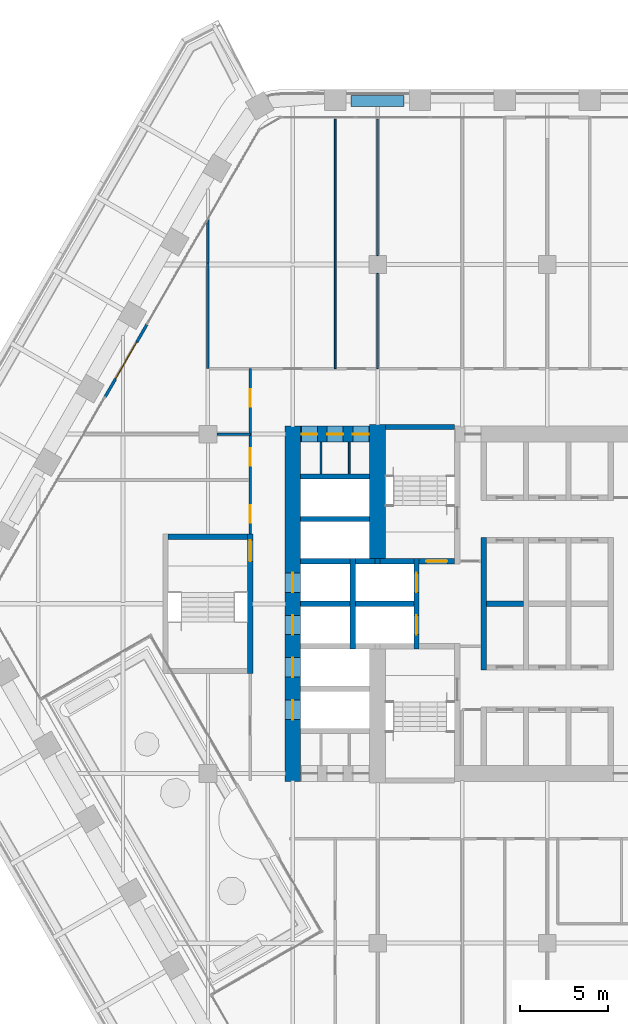
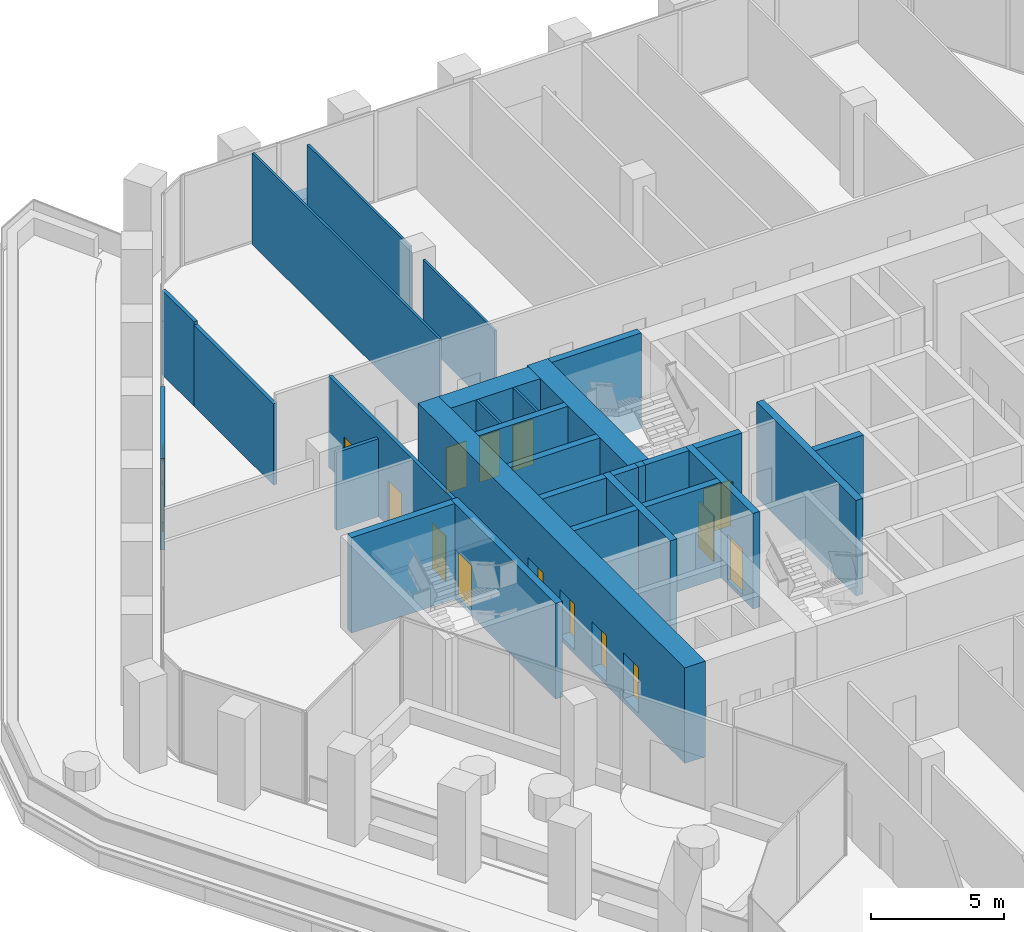
# One storey, part 17 of 27: 30 walls, 15 doors, 15 openings.
"""IFC4 building model written with IfcOpenShell, lengths in metres."""

from ifc_helpers import new_model, si_unit, direction, frame, frame_2d, origin, place, context, subcontext, project, spatial, rectangle, extrude, material, layer, layer_set, type_object, element, fill, save


model = new_model("IFC4")

# Units and contexts
model_context = context("Model", 3, precision=1e-05, world=origin(), true_north=direction((0.0, 1.0)))
body_context = subcontext(model_context, "Body", "Model", "MODEL_VIEW")
ifc_project = project(units=[si_unit("LENGTHUNIT", "METRE"), si_unit("AREAUNIT", "SQUARE_METRE"), si_unit("VOLUMEUNIT", "CUBIC_METRE"), si_unit("PLANEANGLEUNIT", "RADIAN"), si_unit("MASSUNIT", "GRAM", prefix="KILO")], contexts=[model_context])

# Site, building, storey
site_placement = place(None, origin())
site = spatial("IfcSite", under=ifc_project, at=site_placement, CompositionType="ELEMENT")
building_placement = place(site_placement, origin())
building = spatial("IfcBuilding", under=site, at=building_placement, Name="Kolab Exchange Tower", CompositionType="ELEMENT")
storey_placement = place(building_placement, frame((0.0, 0.0, 122.89990234375)))
storey = spatial("IfcBuildingStorey", under=building, at=storey_placement, Name="L24", CompositionType="ELEMENT", Elevation=122.89990234375)

# Wall, openings, doors
ifc_material_1 = material(Name="Concrete C70/85", Category="concrete")
ifc_layer_1 = layer(ifc_material_1, 0.89990234375)
ifc_layer_set_1 = layer_set([ifc_layer_1], Name="Concrete C70/85")
wall_type_1 = type_object("IfcWallType", Name="CORE WALL 900 C70/85", PredefinedType="SHEAR", material=ifc_layer_set_1)
wall_1_placement = place(storey_placement, frame((-13.949951171875, 9.60009765625, -0.199951171875), z_axis=(0.0, 0.0, 1.0), x_axis=(1.0, 0.0, 0.0)))
wall_1 = element("IfcWall", 1, at=wall_1_placement, inside=storey, type_object=wall_type_1, Name="wall/L24/core/051", PredefinedType="SHEAR", context=body_context, shape_type="SweptSolid", body=[
    extrude(rectangle(XDim=3.89990234375, YDim=0.89990234375, at=frame_2d((1.949951171875, 0.0))), origin(), (0.0, 0.0, 1.0), 4.400146484375),
])
opening_1_placement = place(wall_1_placement, frame((0.050048828125, 0.0, 0.199951171875)))
opening_1 = element("IfcOpeningElement", 2, at=opening_1_placement, cuts=wall_1, Name="Opening D6-251", PredefinedType="OPENING", context=body_context, shape_type="SweptSolid", body=[
    extrude(rectangle(XDim=0.89990234375, YDim=2.10009765625, at=frame_2d((0.449951171875, 1.050048828125))), frame((0.0, 0.4599609375, 0.0), z_axis=(0.0, -1.0, 0.0), x_axis=(1.0, 0.0, 0.0)), (0.0, 0.0, 1.0), 0.919921875),
])
opening_2_placement = place(wall_1_placement, frame((1.5, 0.0, 0.199951171875)))
opening_2 = element("IfcOpeningElement", 3, at=opening_2_placement, cuts=wall_1, Name="Opening D6-252", PredefinedType="OPENING", context=body_context, shape_type="SweptSolid", body=[
    extrude(rectangle(XDim=0.89990234375, YDim=2.10009765625, at=frame_2d((0.449951171875, 1.050048828125))), frame((0.0, 0.4599609375, 0.0), z_axis=(0.0, -1.0, 0.0), x_axis=(1.0, 0.0, 0.0)), (0.0, 0.0, 1.0), 0.919921875),
])
opening_3_placement = place(wall_1_placement, frame((2.949951171875, 0.0, 0.199951171875)))
opening_3 = element("IfcOpeningElement", 4, at=opening_3_placement, cuts=wall_1, Name="Opening D6-253", PredefinedType="OPENING", context=body_context, shape_type="SweptSolid", body=[
    extrude(rectangle(XDim=0.89990234375, YDim=2.10009765625, at=frame_2d((0.449951171875, 1.050048828125))), frame((0.0, 0.4599609375, 0.0), z_axis=(0.0, -1.0, 0.0), x_axis=(1.0, 0.0, 0.0)), (0.0, 0.0, 1.0), 0.919921875),
])
ifc_material_2 = material(Name="Steel S235", Category="steel")
door_type_1 = type_object("IfcDoorType", Name="CORE DOOR 900 EI 120", OperationType="SINGLE_SWING_LEFT", PredefinedType="DOOR", material=ifc_material_2)
door_1_placement = place(opening_1_placement, frame((0.89990234375, 0.0, 0.0), z_axis=(0.0, 0.0, 1.0), x_axis=(-1.0, 0.0, 0.0)))
door_1 = element("IfcDoor", 5, at=door_1_placement, inside=storey, type_object=door_type_1, Name="Service room door", OperationType="SINGLE_SWING_RIGHT", OverallHeight=2.10009765625, OverallWidth=0.89990234375, PredefinedType="DOOR", context=body_context, shape_type="SweptSolid", body=[
    extrude(rectangle(XDim=0.89990234375, YDim=2.10009765625, at=frame_2d((0.449951171875, 1.050048828125))), frame((0.0, 0.02490234375, 0.0), z_axis=(0.0, -1.0, 0.0), x_axis=(1.0, 0.0, 0.0)), (0.0, 0.0, 1.0), 0.050048828125),
])
fill(opening_1, door_1)
door_2_placement = place(opening_2_placement, frame((0.89990234375, 0.0, 0.0), z_axis=(0.0, 0.0, 1.0), x_axis=(-1.0, 0.0, 0.0)))
door_2 = element("IfcDoor", 6, at=door_2_placement, inside=storey, type_object=door_type_1, Name="Service room door", OperationType="SINGLE_SWING_LEFT", OverallHeight=2.10009765625, OverallWidth=0.89990234375, PredefinedType="DOOR", context=body_context, shape_type="SweptSolid", body=[
    extrude(rectangle(XDim=0.89990234375, YDim=2.10009765625, at=frame_2d((0.449951171875, 1.050048828125))), frame((0.0, 0.02490234375, 0.0), z_axis=(0.0, -1.0, 0.0), x_axis=(1.0, 0.0, 0.0)), (0.0, 0.0, 1.0), 0.050048828125),
])
fill(opening_2, door_2)
door_3_placement = place(opening_3_placement, frame((0.89990234375, 0.0, 0.0), z_axis=(0.0, 0.0, 1.0), x_axis=(-1.0, 0.0, 0.0)))
door_3 = element("IfcDoor", 7, at=door_3_placement, inside=storey, type_object=door_type_1, Name="Service room door", OperationType="SINGLE_SWING_LEFT", OverallHeight=2.10009765625, OverallWidth=0.89990234375, PredefinedType="DOOR", context=body_context, shape_type="SweptSolid", body=[
    extrude(rectangle(XDim=0.89990234375, YDim=2.10009765625, at=frame_2d((0.449951171875, 1.050048828125))), frame((0.0, 0.02490234375, 0.0), z_axis=(0.0, -1.0, 0.0), x_axis=(1.0, 0.0, 0.0)), (0.0, 0.0, 1.0), 0.050048828125),
])
fill(opening_3, door_3)

wall_2_placement = place(storey_placement, frame((-14.39990234375, -10.050048828125, -0.199951171875), z_axis=(0.0, 0.0, 1.0), x_axis=(0.0, 1.0, 0.0)))
wall_2 = element("IfcWall", 8, at=wall_2_placement, inside=storey, type_object=wall_type_1, Name="wall/L24/core/057", PredefinedType="SHEAR", context=body_context, shape_type="SweptSolid", body=[
    extrude(rectangle(XDim=20.10009765625, YDim=0.89990234375, at=frame_2d((10.050048828125, 0.0))), origin(), (0.0, 0.0, 1.0), 4.400146484375),
])
opening_4_placement = place(wall_2_placement, frame((3.5, 0.0, 0.199951171875)))
opening_4 = element("IfcOpeningElement", 9, at=opening_4_placement, cuts=wall_2, Name="Opening LD1-081", PredefinedType="OPENING", context=body_context, shape_type="SweptSolid", body=[
    extrude(rectangle(XDim=1.10009765625, YDim=2.10009765625, at=frame_2d((0.550048828125, 1.050048828125))), frame((0.0, 0.4599609375, 0.0), z_axis=(0.0, -1.0, 0.0), x_axis=(1.0, 0.0, 0.0)), (0.0, 0.0, 1.0), 0.919921875),
])
opening_5_placement = place(wall_2_placement, frame((5.89990234375, 0.0, 0.199951171875)))
opening_5 = element("IfcOpeningElement", 10, at=opening_5_placement, cuts=wall_2, Name="Opening LD1-082", PredefinedType="OPENING", context=body_context, shape_type="SweptSolid", body=[
    extrude(rectangle(XDim=1.10009765625, YDim=2.10009765625, at=frame_2d((0.550048828125, 1.050048828125))), frame((0.0, 0.4599609375, 0.0), z_axis=(0.0, -1.0, 0.0), x_axis=(1.0, 0.0, 0.0)), (0.0, 0.0, 1.0), 0.919921875),
])
opening_6_placement = place(wall_2_placement, frame((8.300048828125, 0.0, 0.199951171875)))
opening_6 = element("IfcOpeningElement", 11, at=opening_6_placement, cuts=wall_2, Name="Opening LD1-083", PredefinedType="OPENING", context=body_context, shape_type="SweptSolid", body=[
    extrude(rectangle(XDim=1.10009765625, YDim=2.10009765625, at=frame_2d((0.550048828125, 1.050048828125))), frame((0.0, 0.4599609375, 0.0), z_axis=(0.0, -1.0, 0.0), x_axis=(1.0, 0.0, 0.0)), (0.0, 0.0, 1.0), 0.919921875),
])
opening_7_placement = place(wall_2_placement, frame((10.699951171875, 0.0, 0.199951171875)))
opening_7 = element("IfcOpeningElement", 12, at=opening_7_placement, cuts=wall_2, Name="Opening LD1-084", PredefinedType="OPENING", context=body_context, shape_type="SweptSolid", body=[
    extrude(rectangle(XDim=1.10009765625, YDim=2.10009765625, at=frame_2d((0.550048828125, 1.050048828125))), frame((0.0, 0.4599609375, 0.0), z_axis=(0.0, -1.0, 0.0), x_axis=(1.0, 0.0, 0.0)), (0.0, 0.0, 1.0), 0.919921875),
])
ifc_material_3 = material(Name="Stainless steel 316", Category="steel")
door_type_2 = type_object("IfcDoorType", Name="LANDING DOOR 1100 PASSENGER", OperationType="DOUBLE_DOOR_SLIDING", PredefinedType="DOOR", material=ifc_material_3)
door_4_placement = place(opening_4_placement, origin())
door_4 = element("IfcDoor", 13, at=door_4_placement, inside=storey, type_object=door_type_2, Name="Landing door LR5", OperationType="DOUBLE_DOOR_SLIDING", OverallHeight=2.10009765625, OverallWidth=1.10009765625, PredefinedType="DOOR", context=body_context, shape_type="SweptSolid", body=[
    extrude(rectangle(XDim=1.10009765625, YDim=2.10009765625, at=frame_2d((0.550048828125, 1.050048828125))), frame((0.0, 0.02490234375, 0.0), z_axis=(0.0, -1.0, 0.0), x_axis=(1.0, 0.0, 0.0)), (0.0, 0.0, 1.0), 0.050048828125),
])
fill(opening_4, door_4)
door_5_placement = place(opening_5_placement, origin())
door_5 = element("IfcDoor", 14, at=door_5_placement, inside=storey, type_object=door_type_2, Name="Landing door LR6", OperationType="DOUBLE_DOOR_SLIDING", OverallHeight=2.10009765625, OverallWidth=1.10009765625, PredefinedType="DOOR", context=body_context, shape_type="SweptSolid", body=[
    extrude(rectangle(XDim=1.10009765625, YDim=2.10009765625, at=frame_2d((0.550048828125, 1.050048828125))), frame((0.0, 0.02490234375, 0.0), z_axis=(0.0, -1.0, 0.0), x_axis=(1.0, 0.0, 0.0)), (0.0, 0.0, 1.0), 0.050048828125),
])
fill(opening_5, door_5)
door_6_placement = place(opening_6_placement, origin())
door_6 = element("IfcDoor", 15, at=door_6_placement, inside=storey, type_object=door_type_2, Name="Landing door LR7", OperationType="DOUBLE_DOOR_SLIDING", OverallHeight=2.10009765625, OverallWidth=1.10009765625, PredefinedType="DOOR", context=body_context, shape_type="SweptSolid", body=[
    extrude(rectangle(XDim=1.10009765625, YDim=2.10009765625, at=frame_2d((0.550048828125, 1.050048828125))), frame((0.0, 0.02490234375, 0.0), z_axis=(0.0, -1.0, 0.0), x_axis=(1.0, 0.0, 0.0)), (0.0, 0.0, 1.0), 0.050048828125),
])
fill(opening_6, door_6)
door_7_placement = place(opening_7_placement, origin())
door_7 = element("IfcDoor", 16, at=door_7_placement, inside=storey, type_object=door_type_2, Name="Landing door LR8", OperationType="DOUBLE_DOOR_SLIDING", OverallHeight=2.10009765625, OverallWidth=1.10009765625, PredefinedType="DOOR", context=body_context, shape_type="SweptSolid", body=[
    extrude(rectangle(XDim=1.10009765625, YDim=2.10009765625, at=frame_2d((0.550048828125, 1.050048828125))), frame((0.0, 0.02490234375, 0.0), z_axis=(0.0, -1.0, 0.0), x_axis=(1.0, 0.0, 0.0)), (0.0, 0.0, 1.0), 0.050048828125),
])
fill(opening_7, door_7)

# Wall
wall_3_placement = place(storey_placement, frame((-9.60009765625, 2.550048828125, -0.199951171875), z_axis=(0.0, 0.0, 1.0), x_axis=(0.0, 1.0, 0.0)))
element("IfcWall", 17, at=wall_3_placement, inside=storey, type_object=wall_type_1, Name="wall/L24/core/062", PredefinedType="SHEAR", context=body_context, shape_type="SweptSolid", body=[
    extrude(rectangle(XDim=7.599853515625, YDim=0.89990234375, at=frame_2d((3.7998046875, 0.0))), origin(), (0.0, 0.0, 1.0), 4.400146484375),
])

# Wall, opening, door
ifc_material_4 = material(Name="Aluminium EN AW-6063 T6", Category="aluminium")
ifc_layer_2 = layer(ifc_material_4, 0.159912109375)
ifc_layer_set_2 = layer_set([ifc_layer_2], Name="Aluminium EN AW-6063 T6")
wall_type_2 = type_object("IfcWallType", Name="DOOR SURROUND WALL 160 ALUMINIUM FRAMED", PredefinedType="PARTITIONING", material=ifc_layer_set_2)
wall_4_placement = place(storey_placement, frame((-25.0166015625, 11.706787109375, 0.0), z_axis=(0.0, 0.0, 1.0), x_axis=(0.499978080042, 0.866038058908, 0.0)))
wall_4 = element("IfcWall", 18, at=wall_4_placement, inside=storey, type_object=wall_type_2, Name="Door surround wall", PredefinedType="PARTITIONING", context=body_context, shape_type="SweptSolid", body=[
    extrude(rectangle(XDim=4.739990234375, YDim=0.159912109375, at=frame_2d((2.3701171875, 0.0))), origin(), (0.0, 0.0, 1.0), 4.2001953125),
])
opening_8_placement = place(wall_4_placement, frame((1.169921875, 0.0, 0.0)))
opening_8 = element("IfcOpeningElement", 19, at=opening_8_placement, cuts=wall_4, Name="Opening GD1-048", PredefinedType="OPENING", context=body_context, shape_type="SweptSolid", body=[
    extrude(rectangle(XDim=2.39990234375, YDim=2.39990234375, at=frame_2d((1.199951171875, 1.199951171875))), frame((0.0, 0.08984375, 0.0), z_axis=(0.0, -1.0, 0.0), x_axis=(1.0, 0.0, 0.0)), (0.0, 0.0, 1.0), 0.179931640625),
])
door_type_3 = type_object("IfcDoorType", Name="LOGGIA SLIDING GLASS DOOR 2400 X 2400", OperationType="DOUBLE_DOOR_SINGLE_SWING", PredefinedType="DOOR", material=ifc_material_4)
door_8_placement = place(opening_8_placement, origin())
door_8 = element("IfcDoor", 20, at=door_8_placement, inside=storey, type_object=door_type_3, Name="Loggia door", OperationType="DOUBLE_DOOR_SLIDING", OverallHeight=2.39990234375, OverallWidth=2.39990234375, PredefinedType="DOOR", context=body_context, shape_type="SweptSolid", body=[
    extrude(rectangle(XDim=2.39990234375, YDim=2.39990234375, at=frame_2d((1.199951171875, 1.199951171875))), frame((0.0, 0.02490234375, 0.0), z_axis=(0.0, -1.0, 0.0), x_axis=(1.0, 0.0, 0.0)), (0.0, 0.0, 1.0), 0.050048828125),
])
fill(opening_8, door_8)

# Walls
ifc_material_5 = material(Name="Concrete C50/60", Category="concrete")
ifc_layer_3 = layer(ifc_material_5, 0.300048828125)
ifc_layer_set_3 = layer_set([ifc_layer_3], Name="Concrete C50/60")
wall_type_3 = type_object("IfcWallType", Name="LIFT SHAFT WALL 300 C50/60", PredefinedType="STANDARD", material=ifc_layer_set_3)
wall_5_placement = place(storey_placement, frame((-13.949951171875, 0.0, -0.199951171875), z_axis=(0.0, 0.0, 1.0), x_axis=(1.0, 0.0, 0.0)))
element("IfcWall", 21, at=wall_5_placement, inside=storey, type_object=wall_type_3, Name="wall/L24/core/024", PredefinedType="STANDARD", context=body_context, shape_type="SweptSolid", body=[
    extrude(rectangle(XDim=2.800048828125, YDim=0.300048828125, at=frame_2d((1.39990234375, 0.0))), origin(), (0.0, 0.0, 1.0), 4.400146484375),
])
wall_6_placement = place(storey_placement, frame((-10.85009765625, 0.0, -0.199951171875), z_axis=(0.0, 0.0, 1.0), x_axis=(1.0, 0.0, 0.0)))
element("IfcWall", 22, at=wall_6_placement, inside=storey, type_object=wall_type_3, Name="wall/L24/core/025", PredefinedType="STANDARD", context=body_context, shape_type="SweptSolid", body=[
    extrude(rectangle(XDim=3.300048828125, YDim=0.300048828125, at=frame_2d((1.64990234375, 0.0))), origin(), (0.0, 0.0, 1.0), 4.400146484375),
])
wall_7_placement = place(storey_placement, frame((-3.449951171875, 0.0, -0.199951171875), z_axis=(0.0, 0.0, 1.0), x_axis=(1.0, 0.0, 0.0)))
element("IfcWall", 23, at=wall_7_placement, inside=storey, type_object=wall_type_3, Name="wall/L24/core/026", PredefinedType="STANDARD", context=body_context, shape_type="SweptSolid", body=[
    extrude(rectangle(XDim=2.099853515625, YDim=0.300048828125, at=frame_2d((1.0498046875, 0.0))), origin(), (0.0, 0.0, 1.0), 4.400146484375),
])
wall_8_placement = place(storey_placement, frame((-13.949951171875, 2.39990234375, -0.199951171875), z_axis=(0.0, 0.0, 1.0), x_axis=(1.0, 0.0, 0.0)))
element("IfcWall", 24, at=wall_8_placement, inside=storey, type_object=wall_type_3, Name="wall/L24/core/031", PredefinedType="STANDARD", context=body_context, shape_type="SweptSolid", body=[
    extrude(rectangle(XDim=2.800048828125, YDim=0.300048828125, at=frame_2d((1.39990234375, 0.0))), origin(), (0.0, 0.0, 1.0), 4.400146484375),
])
wall_9_placement = place(storey_placement, frame((-10.85009765625, 2.39990234375, -0.199951171875), z_axis=(0.0, 0.0, 1.0), x_axis=(1.0, 0.0, 0.0)))
element("IfcWall", 25, at=wall_9_placement, inside=storey, type_object=wall_type_3, Name="wall/L24/core/032", PredefinedType="STANDARD", context=body_context, shape_type="SweptSolid", body=[
    extrude(rectangle(XDim=1.10009765625, YDim=0.300048828125, at=frame_2d((0.550048828125, 0.0))), origin(), (0.0, 0.0, 1.0), 4.400146484375),
])
for number, where, z_axis, x_axis, name in (
    (26, (-13.949951171875, 4.800048828125, -0.199951171875), (0.0, 0.0, 1.0), (1.0, 0.0, 0.0), "wall/L24/core/042"),
    (27, (-13.949951171875, 7.199951171875, -0.199951171875), (0.0, 0.0, 1.0), (1.0, 0.0, 0.0), "wall/L24/core/048"),
):
    element("IfcWall", number, at=place(storey_placement, frame(where, z_axis=z_axis, x_axis=x_axis)), inside=storey, type_object=wall_type_3, Name=name, PredefinedType="STANDARD", context=body_context, shape_type="SweptSolid", body=[
        extrude(rectangle(XDim=3.89990234375, YDim=0.300048828125, at=frame_2d((1.949951171875, 0.0))), origin(), (0.0, 0.0, 1.0), 4.400146484375),
    ])
wall_10_placement = place(storey_placement, frame((-11.0, -2.550048828125, -0.199951171875), z_axis=(0.0, 0.0, 1.0), x_axis=(0.0, 1.0, 0.0)))
element("IfcWall", 28, at=wall_10_placement, inside=storey, type_object=wall_type_3, Name="wall/L24/core/058", PredefinedType="STANDARD", context=body_context, shape_type="SweptSolid", body=[
    extrude(rectangle(XDim=5.10009765625, YDim=0.300048828125, at=frame_2d((2.550048828125, 0.0))), origin(), (0.0, 0.0, 1.0), 4.400146484375),
])

# Wall, openings, doors
wall_11_placement = place(storey_placement, frame((-7.39990234375, -2.550048828125, -0.199951171875), z_axis=(0.0, 0.0, 1.0), x_axis=(0.0, 1.0, 0.0)))
wall_11 = element("IfcWall", 29, at=wall_11_placement, inside=storey, type_object=wall_type_3, Name="wall/L24/core/063", PredefinedType="STANDARD", context=body_context, shape_type="SweptSolid", body=[
    extrude(rectangle(XDim=5.10009765625, YDim=0.300048828125, at=frame_2d((2.550048828125, 0.0))), origin(), (0.0, 0.0, 1.0), 4.400146484375),
])
opening_9_placement = place(wall_11_placement, frame((0.800048828125, 0.0, 0.199951171875)))
opening_9 = element("IfcOpeningElement", 30, at=opening_9_placement, cuts=wall_11, Name="Opening LD2-019", PredefinedType="OPENING", context=body_context, shape_type="SweptSolid", body=[
    extrude(rectangle(XDim=1.10009765625, YDim=2.10009765625, at=frame_2d((0.550048828125, 1.050048828125))), frame((0.0, 0.16015625, 0.0), z_axis=(0.0, -1.0, 0.0), x_axis=(1.0, 0.0, 0.0)), (0.0, 0.0, 1.0), 0.320068359375),
])
opening_10_placement = place(wall_11_placement, frame((3.199951171875, 0.0, 0.199951171875)))
opening_10 = element("IfcOpeningElement", 31, at=opening_10_placement, cuts=wall_11, Name="Opening LD2-020", PredefinedType="OPENING", context=body_context, shape_type="SweptSolid", body=[
    extrude(rectangle(XDim=1.10009765625, YDim=2.10009765625, at=frame_2d((0.550048828125, 1.050048828125))), frame((0.0, 0.16015625, 0.0), z_axis=(0.0, -1.0, 0.0), x_axis=(1.0, 0.0, 0.0)), (0.0, 0.0, 1.0), 0.320068359375),
])
door_type_4 = type_object("IfcDoorType", Name="LANDING DOOR 1100 FIREFIGHTING", OperationType="DOUBLE_DOOR_SLIDING", PredefinedType="DOOR", material=ifc_material_3)
door_9_placement = place(opening_9_placement, origin())
door_9 = element("IfcDoor", 32, at=door_9_placement, inside=storey, type_object=door_type_4, Name="Landing door FF1", OperationType="DOUBLE_DOOR_SLIDING", OverallHeight=2.10009765625, OverallWidth=1.10009765625, PredefinedType="DOOR", context=body_context, shape_type="SweptSolid", body=[
    extrude(rectangle(XDim=1.10009765625, YDim=2.10009765625, at=frame_2d((0.550048828125, 1.050048828125))), frame((0.0, 0.02490234375, 0.0), z_axis=(0.0, -1.0, 0.0), x_axis=(1.0, 0.0, 0.0)), (0.0, 0.0, 1.0), 0.050048828125),
])
fill(opening_9, door_9)
door_10_placement = place(opening_10_placement, origin())
door_10 = element("IfcDoor", 33, at=door_10_placement, inside=storey, type_object=door_type_4, Name="Landing door FF2", OperationType="DOUBLE_DOOR_SLIDING", OverallHeight=2.10009765625, OverallWidth=1.10009765625, PredefinedType="DOOR", context=body_context, shape_type="SweptSolid", body=[
    extrude(rectangle(XDim=1.10009765625, YDim=2.10009765625, at=frame_2d((0.550048828125, 1.050048828125))), frame((0.0, 0.02490234375, 0.0), z_axis=(0.0, -1.0, 0.0), x_axis=(1.0, 0.0, 0.0)), (0.0, 0.0, 1.0), 0.050048828125),
])
fill(opening_10, door_10)

# Walls
wall_12_placement = place(storey_placement, frame((-3.60009765625, -3.75, -0.199951171875), z_axis=(0.0, 0.0, 1.0), x_axis=(0.0, 1.0, 0.0)))
element("IfcWall", 34, at=wall_12_placement, inside=storey, type_object=wall_type_3, Name="wall/L24/core/067", PredefinedType="STANDARD", context=body_context, shape_type="SweptSolid", body=[
    extrude(rectangle(XDim=7.5, YDim=0.300048828125, at=frame_2d((3.75, 0.0))), origin(), (0.0, 0.0, 1.0), 4.400146484375),
])
ifc_material_6 = material(Name="Gypsum board", Category="gypsum")
ifc_layer_4 = layer(ifc_material_6, 0.10009765625)
ifc_layer_set_4 = layer_set([ifc_layer_4], Name="Gypsum board")
wall_type_4 = type_object("IfcWallType", Name="PARTITION 100", PredefinedType="PARTITIONING", material=ifc_layer_set_4)
wall_13_placement = place(storey_placement, frame((-9.60009765625, 13.300048828125, 0.0), z_axis=(0.0, 0.0, 1.0), x_axis=(0.0, 1.0, 0.0)))
element("IfcWall", 35, at=wall_13_placement, inside=storey, type_object=wall_type_4, Name="Partition 028", PredefinedType="PARTITIONING", context=body_context, shape_type="SweptSolid", body=[
    extrude(rectangle(XDim=5.39990234375, YDim=0.10009765625, at=frame_2d((2.699951171875, 0.0))), origin(), (0.0, 0.0, 1.0), 3.7431640625),
])
wall_14_placement = place(storey_placement, frame((-9.60009765625, 19.699951171875, 0.0), z_axis=(0.0, 0.0, 1.0), x_axis=(0.0, 1.0, 0.0)))
element("IfcWall", 36, at=wall_14_placement, inside=storey, type_object=wall_type_4, Name="Partition 029", PredefinedType="PARTITIONING", context=body_context, shape_type="SweptSolid", body=[
    extrude(rectangle(XDim=7.728515625, YDim=0.10009765625, at=frame_2d((3.8642578125, 0.0))), origin(), (0.0, 0.0, 1.0), 3.7431640625),
])
wall_15_placement = place(storey_placement, frame((-11.199951171875, 7.35009765625, 0.0), z_axis=(0.0, 0.0, 1.0), x_axis=(0.0, 1.0, 0.0)))
element("IfcWall", 37, at=wall_15_placement, inside=storey, type_object=wall_type_4, Name="Partition 033", PredefinedType="PARTITIONING", context=body_context, shape_type="SweptSolid", body=[
    extrude(rectangle(XDim=1.7998046875, YDim=0.10009765625, at=frame_2d((0.89990234375, 0.0))), origin(), (0.0, 0.0, 1.0), 4.2001953125),
])
wall_16_placement = place(storey_placement, frame((-12.0, 13.300048828125, 0.0), z_axis=(0.0, 0.0, 1.0), x_axis=(0.0, 1.0, 0.0)))
element("IfcWall", 38, at=wall_16_placement, inside=storey, type_object=wall_type_4, Name="Partition 034", PredefinedType="PARTITIONING", context=body_context, shape_type="SweptSolid", body=[
    extrude(rectangle(XDim=14.12841796875, YDim=0.10009765625, at=frame_2d((7.064208984375, 0.0))), origin(), (0.0, 0.0, 1.0), 4.2001953125),
])
wall_17_placement = place(storey_placement, frame((-12.800048828125, 7.35009765625, 0.0), z_axis=(0.0, 0.0, 1.0), x_axis=(0.0, 1.0, 0.0)))
element("IfcWall", 39, at=wall_17_placement, inside=storey, type_object=wall_type_4, Name="Partition 037", PredefinedType="PARTITIONING", context=body_context, shape_type="SweptSolid", body=[
    extrude(rectangle(XDim=1.7998046875, YDim=0.10009765625, at=frame_2d((0.89990234375, 0.0))), origin(), (0.0, 0.0, 1.0), 4.2001953125),
])

# Wall, openings, doors
ifc_layer_5 = layer(ifc_material_6, 0.14990234375)
ifc_layer_set_5 = layer_set([ifc_layer_5], Name="Gypsum board")
wall_type_5 = type_object("IfcWallType", Name="PARTITION 150 FIRE-RATED", PredefinedType="PARTITIONING", material=ifc_layer_set_5)
wall_18_placement = place(storey_placement, frame((-16.800048828125, 3.949951171875, 0.0), z_axis=(0.0, 0.0, 1.0), x_axis=(0.0, 1.0, 0.0)))
wall_18 = element("IfcWall", 40, at=wall_18_placement, inside=storey, type_object=wall_type_5, Name="Partition 039", PredefinedType="PARTITIONING", context=body_context, shape_type="SweptSolid", body=[
    extrude(rectangle(XDim=9.35009765625, YDim=0.14990234375, at=frame_2d((4.675048828125, 0.0))), origin(), (0.0, 0.0, 1.0), 4.2001953125),
])
opening_11_placement = place(wall_18_placement, frame((0.625, 0.0, 0.0)))
opening_11 = element("IfcOpeningElement", 41, at=opening_11_placement, cuts=wall_18, Name="Opening D1-355", PredefinedType="OPENING", context=body_context, shape_type="SweptSolid", body=[
    extrude(rectangle(XDim=1.0, YDim=2.10009765625, at=frame_2d((0.5, 1.050048828125))), frame((0.0, 0.0849609375, 0.0), z_axis=(0.0, -1.0, 0.0), x_axis=(1.0, 0.0, 0.0)), (0.0, 0.0, 1.0), 0.169921875),
])
opening_12_placement = place(wall_18_placement, frame((3.85009765625, 0.0, 0.0)))
opening_12 = element("IfcOpeningElement", 42, at=opening_12_placement, cuts=wall_18, Name="Opening D1-356", PredefinedType="OPENING", context=body_context, shape_type="SweptSolid", body=[
    extrude(rectangle(XDim=1.0, YDim=2.10009765625, at=frame_2d((0.5, 1.050048828125))), frame((0.0, 0.0849609375, 0.0), z_axis=(0.0, -1.0, 0.0), x_axis=(1.0, 0.0, 0.0)), (0.0, 0.0, 1.0), 0.169921875),
])
opening_13_placement = place(wall_18_placement, frame((7.199951171875, 0.0, 0.0)))
opening_13 = element("IfcOpeningElement", 43, at=opening_13_placement, cuts=wall_18, Name="Opening D1-357", PredefinedType="OPENING", context=body_context, shape_type="SweptSolid", body=[
    extrude(rectangle(XDim=1.0, YDim=2.10009765625, at=frame_2d((0.5, 1.050048828125))), frame((0.0, 0.0849609375, 0.0), z_axis=(0.0, -1.0, 0.0), x_axis=(1.0, 0.0, 0.0)), (0.0, 0.0, 1.0), 0.169921875),
])
door_type_5 = type_object("IfcDoorType", Name="FLUSH DOOR 1000 FD60", OperationType="SINGLE_SWING_LEFT", PredefinedType="DOOR", material=ifc_material_2)
door_11_placement = place(opening_11_placement, origin())
door_11 = element("IfcDoor", 44, at=door_11_placement, inside=storey, type_object=door_type_5, Name="Door L24-076", OperationType="SINGLE_SWING_LEFT", OverallHeight=2.10009765625, OverallWidth=1.0, PredefinedType="DOOR", context=body_context, shape_type="SweptSolid", body=[
    extrude(rectangle(XDim=1.0, YDim=2.10009765625, at=frame_2d((0.5, 1.050048828125))), frame((0.0, 0.02490234375, 0.0), z_axis=(0.0, -1.0, 0.0), x_axis=(1.0, 0.0, 0.0)), (0.0, 0.0, 1.0), 0.050048828125),
])
fill(opening_11, door_11)
door_12_placement = place(opening_12_placement, origin())
door_12 = element("IfcDoor", 45, at=door_12_placement, inside=storey, type_object=door_type_5, Name="Door L24-077", OperationType="SINGLE_SWING_RIGHT", OverallHeight=2.10009765625, OverallWidth=1.0, PredefinedType="DOOR", context=body_context, shape_type="SweptSolid", body=[
    extrude(rectangle(XDim=1.0, YDim=2.10009765625, at=frame_2d((0.5, 1.050048828125))), frame((0.0, 0.02490234375, 0.0), z_axis=(0.0, -1.0, 0.0), x_axis=(1.0, 0.0, 0.0)), (0.0, 0.0, 1.0), 0.050048828125),
])
fill(opening_12, door_12)
door_13_placement = place(opening_13_placement, origin())
door_13 = element("IfcDoor", 46, at=door_13_placement, inside=storey, type_object=door_type_5, Name="Door L24-078", OperationType="SINGLE_SWING_RIGHT", OverallHeight=2.10009765625, OverallWidth=1.0, PredefinedType="DOOR", context=body_context, shape_type="SweptSolid", body=[
    extrude(rectangle(XDim=1.0, YDim=2.10009765625, at=frame_2d((0.5, 1.050048828125))), frame((0.0, 0.02490234375, 0.0), z_axis=(0.0, -1.0, 0.0), x_axis=(1.0, 0.0, 0.0)), (0.0, 0.0, 1.0), 0.050048828125),
])
fill(opening_13, door_13)

# Walls
wall_19_placement = place(storey_placement, frame((-19.199951171875, 13.300048828125, 0.0), z_axis=(0.0, 0.0, 1.0), x_axis=(0.0, 1.0, 0.0)))
element("IfcWall", 47, at=wall_19_placement, inside=storey, type_object=wall_type_5, Name="Partition 040", PredefinedType="PARTITIONING", context=body_context, shape_type="SweptSolid", body=[
    extrude(rectangle(XDim=5.993408203125, YDim=0.14990234375, at=frame_2d((2.99658203125, 0.0))), origin(), (0.0, 0.0, 1.0), 3.7431640625),
])
wall_20_placement = place(storey_placement, frame((-19.199951171875, 19.29345703125, 0.0), z_axis=(0.0, 0.0, 1.0), x_axis=(0.0, 1.0, 0.0)))
element("IfcWall", 48, at=wall_20_placement, inside=storey, type_object=wall_type_5, Name="Partition 040", PredefinedType="PARTITIONING", context=body_context, shape_type="SweptSolid", body=[
    extrude(rectangle(XDim=2.407958984375, YDim=0.14990234375, at=frame_2d((1.2041015625, 0.0))), origin(), (0.0, 0.0, 1.0), 3.89013671875),
])
wall_21_placement = place(storey_placement, frame((-18.699951171875, 9.60009765625, 0.0), z_axis=(0.0, 0.0, 1.0), x_axis=(1.0, 0.0, 0.0)))
element("IfcWall", 49, at=wall_21_placement, inside=storey, type_object=wall_type_5, Name="Partition 051", PredefinedType="PARTITIONING", context=body_context, shape_type="SweptSolid", body=[
    extrude(rectangle(XDim=1.89990234375, YDim=0.14990234375, at=frame_2d((0.949951171875, 0.0))), origin(), (0.0, 0.0, 1.0), 3.592041015625),
])
ifc_material_7 = material(Name="Granite facing", Category="masonry")
ifc_layer_6 = layer(ifc_material_7, 0.0400390625)
ifc_material_8 = material(Name="Concrete C40/50 precast", Category="concrete")
ifc_layer_7 = layer(ifc_material_8, 0.56005859375)
ifc_layer_set_6 = layer_set([ifc_layer_6, ifc_layer_7], Name="Concrete C40/50 precast")
wall_type_6 = type_object("IfcWallType", Name="PLANTER BOX 600 X 700 SOIL DEPTH 550", PredefinedType="USERDEFINED", material=ifc_layer_set_6)
wall_22_placement = place(storey_placement, frame((-11.10009765625, 28.448486328125, 0.0), z_axis=(0.0, 0.0, 1.0), x_axis=(1.0, 0.0, 0.0)))
element("IfcWall", 50, at=wall_22_placement, inside=storey, type_object=wall_type_6, Name="Planter", ObjectType="PLANTER", PredefinedType="USERDEFINED", context=body_context, shape_type="SweptSolid", body=[
    extrude(rectangle(XDim=3.0, YDim=0.60009765625, at=frame_2d((1.5, 0.0))), origin(), (0.0, 0.0, 1.0), 0.7001953125),
])
ifc_layer_8 = layer(ifc_material_5, 0.300048828125)
ifc_layer_set_7 = layer_set([ifc_layer_8], Name="Concrete C50/60")
wall_type_7 = type_object("IfcWallType", Name="STAIR ENCLOSURE WALL 300 C50/60", PredefinedType="STANDARD", material=ifc_layer_set_7)
wall_23_placement = place(storey_placement, frame((-9.449951171875, 2.39990234375, -0.199951171875), z_axis=(0.0, 0.0, 1.0), x_axis=(1.0, 0.0, 0.0)))
element("IfcWall", 51, at=wall_23_placement, inside=storey, type_object=wall_type_7, Name="wall/L24/core/033", PredefinedType="STANDARD", context=body_context, shape_type="SweptSolid", body=[
    extrude(rectangle(XDim=1.89990234375, YDim=0.300048828125, at=frame_2d((0.949951171875, 0.0))), origin(), (0.0, 0.0, 1.0), 4.400146484375),
])

# Wall, opening, door
wall_24_placement = place(storey_placement, frame((-7.25, 2.39990234375, -0.199951171875), z_axis=(0.0, 0.0, 1.0), x_axis=(1.0, 0.0, 0.0)))
wall_24 = element("IfcWall", 52, at=wall_24_placement, inside=storey, type_object=wall_type_7, Name="wall/L24/core/034", PredefinedType="STANDARD", context=body_context, shape_type="SweptSolid", body=[
    extrude(rectangle(XDim=2.0, YDim=0.300048828125, at=frame_2d((1.0, 0.0))), origin(), (0.0, 0.0, 1.0), 4.400146484375),
])
opening_14_placement = place(wall_24_placement, frame((0.39990234375, 0.0, 0.199951171875)))
opening_14 = element("IfcOpeningElement", 53, at=opening_14_placement, cuts=wall_24, Name="Opening D4-049", PredefinedType="OPENING", context=body_context, shape_type="SweptSolid", body=[
    extrude(rectangle(XDim=1.199951171875, YDim=2.10009765625, at=frame_2d((0.60009765625, 1.050048828125))), frame((0.0, 0.16015625, 0.0), z_axis=(0.0, -1.0, 0.0), x_axis=(1.0, 0.0, 0.0)), (0.0, 0.0, 1.0), 0.320068359375),
])
door_type_6 = type_object("IfcDoorType", Name="STAIR DOOR 1200 EI 120", OperationType="SINGLE_SWING_LEFT", PredefinedType="DOOR", material=ifc_material_2)
door_14_placement = place(opening_14_placement, origin())
door_14 = element("IfcDoor", 54, at=door_14_placement, inside=storey, type_object=door_type_6, Name="Stair 1 door", OperationType="SINGLE_SWING_RIGHT", OverallHeight=2.10009765625, OverallWidth=1.199951171875, PredefinedType="DOOR", context=body_context, shape_type="SweptSolid", body=[
    extrude(rectangle(XDim=1.199951171875, YDim=2.10009765625, at=frame_2d((0.60009765625, 1.050048828125))), frame((0.0, 0.02490234375, 0.0), z_axis=(0.0, -1.0, 0.0), x_axis=(1.0, 0.0, 0.0)), (0.0, 0.0, 1.0), 0.050048828125),
])
fill(opening_14, door_14)

# Walls
wall_25_placement = place(storey_placement, frame((-21.449951171875, 3.800048828125, -0.199951171875), z_axis=(0.0, 0.0, 1.0), x_axis=(1.0, 0.0, 0.0)))
element("IfcWall", 55, at=wall_25_placement, inside=storey, type_object=wall_type_7, Name="wall/L24/core/040", PredefinedType="STANDARD", context=body_context, shape_type="SweptSolid", body=[
    extrude(rectangle(XDim=4.5, YDim=0.300048828125, at=frame_2d((2.25, 0.0))), origin(), (0.0, 0.0, 1.0), 4.400146484375),
])
wall_26_placement = place(storey_placement, frame((-9.14990234375, 10.0, -0.199951171875), z_axis=(0.0, 0.0, 1.0), x_axis=(1.0, 0.0, 0.0)))
element("IfcWall", 56, at=wall_26_placement, inside=storey, type_object=wall_type_7, Name="wall/L24/core/054", PredefinedType="STANDARD", context=body_context, shape_type="SweptSolid", body=[
    extrude(rectangle(XDim=3.89990234375, YDim=0.300048828125, at=frame_2d((1.949951171875, 0.0))), origin(), (0.0, 0.0, 1.0), 4.400146484375),
])

# Wall, opening, door
wall_27_placement = place(storey_placement, frame((-16.800048828125, -3.949951171875, -0.199951171875), z_axis=(0.0, 0.0, 1.0), x_axis=(0.0, 1.0, 0.0)))
wall_27 = element("IfcWall", 57, at=wall_27_placement, inside=storey, type_object=wall_type_7, Name="wall/L24/core/056", PredefinedType="STANDARD", context=body_context, shape_type="SweptSolid", body=[
    extrude(rectangle(XDim=7.89990234375, YDim=0.300048828125, at=frame_2d((3.949951171875, 0.0))), origin(), (0.0, 0.0, 1.0), 4.400146484375),
])
opening_15_placement = place(wall_27_placement, frame((6.35009765625, 0.0, 0.199951171875)))
opening_15 = element("IfcOpeningElement", 58, at=opening_15_placement, cuts=wall_27, Name="Opening D4-054", PredefinedType="OPENING", context=body_context, shape_type="SweptSolid", body=[
    extrude(rectangle(XDim=1.199951171875, YDim=2.10009765625, at=frame_2d((0.60009765625, 1.050048828125))), frame((0.0, 0.16015625, 0.0), z_axis=(0.0, -1.0, 0.0), x_axis=(1.0, 0.0, 0.0)), (0.0, 0.0, 1.0), 0.320068359375),
])
door_15_placement = place(opening_15_placement, origin())
door_15 = element("IfcDoor", 59, at=door_15_placement, inside=storey, type_object=door_type_6, Name="Stair 5 door", OperationType="SINGLE_SWING_RIGHT", OverallHeight=2.10009765625, OverallWidth=1.199951171875, PredefinedType="DOOR", context=body_context, shape_type="SweptSolid", body=[
    extrude(rectangle(XDim=1.199951171875, YDim=2.10009765625, at=frame_2d((0.60009765625, 1.050048828125))), frame((0.0, 0.02490234375, 0.0), z_axis=(0.0, -1.0, 0.0), x_axis=(1.0, 0.0, 0.0)), (0.0, 0.0, 1.0), 0.050048828125),
])
fill(opening_15, door_15)

# Wall
wall_28_placement = place(storey_placement, frame((-9.60009765625, 2.25, -0.199951171875), z_axis=(0.0, 0.0, 1.0), x_axis=(0.0, 1.0, 0.0)))
element("IfcWall", 60, at=wall_28_placement, inside=storey, type_object=wall_type_7, Name="wall/L24/core/061", PredefinedType="STANDARD", context=body_context, shape_type="SweptSolid", body=[
    extrude(rectangle(XDim=0.300048828125, YDim=0.300048828125, at=frame_2d((0.14990234375, 0.0))), origin(), (0.0, 0.0, 1.0), 4.400146484375),
])

save(model, "model.ifc")
